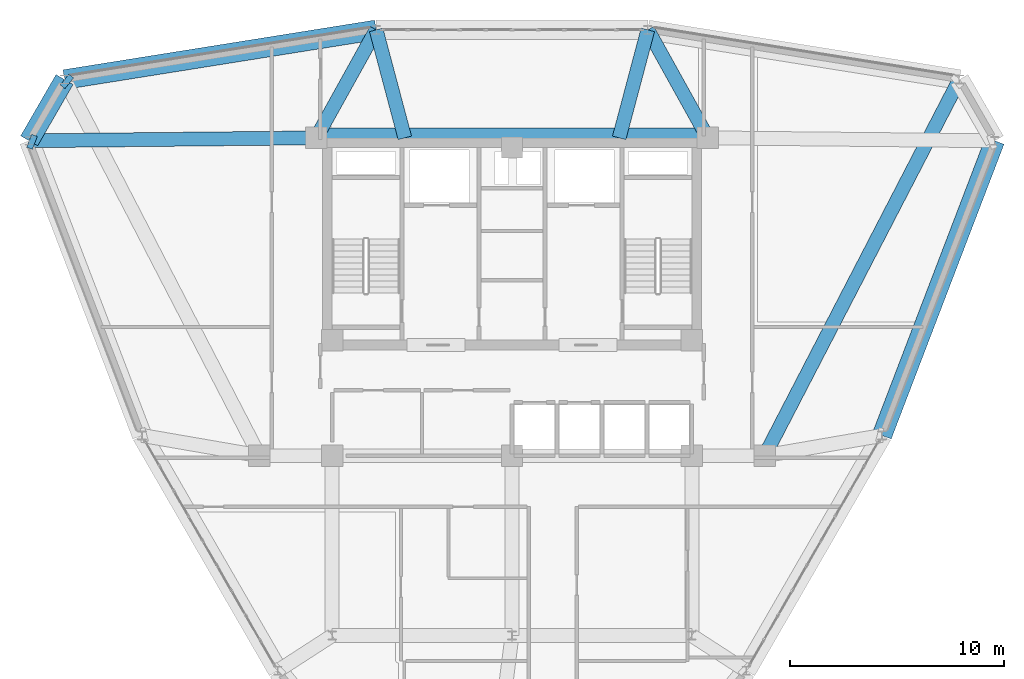
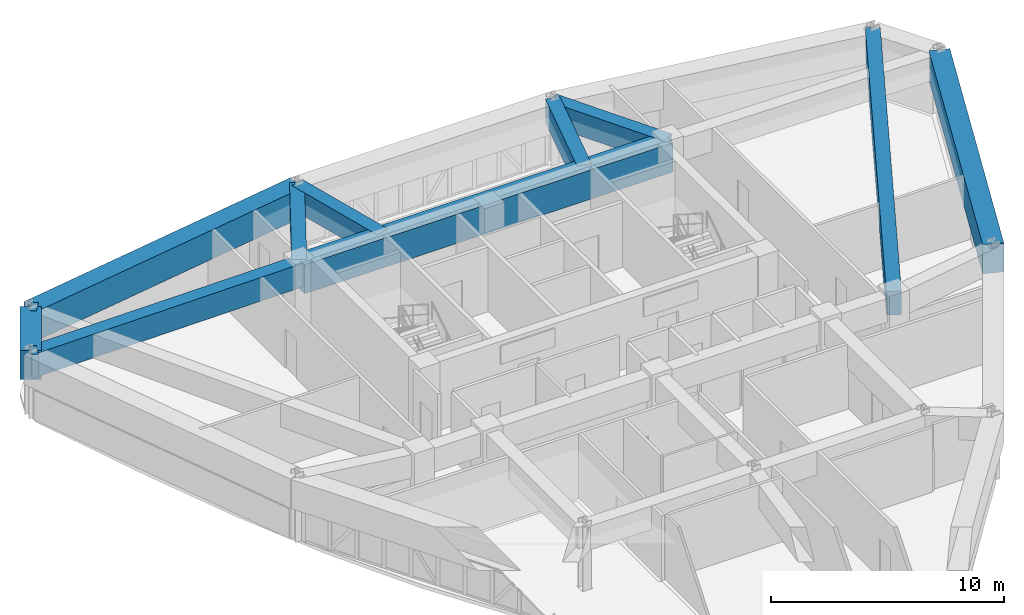
# One storey, part 7 of 14: 12 beams.
"""IFC4 building model written with IfcOpenShell, lengths in metres."""

from ifc_helpers import new_model, si_unit, derived_unit, direction, frame, origin, origin_2d, place, context, subcontext, project, spatial, rectangle, extrude, source, transform, mapped, material, material_profile, profile_set, type_object, element, save


model = new_model("IFC4")

# Units and contexts
model_context = context("Model", 3, precision=1e-05, world=origin(), true_north=direction((0.0, 1.0)))
body_context = subcontext(model_context, "Body", "Model", "MODEL_VIEW")
ifc_project = project(units=[si_unit("LENGTHUNIT", "METRE"), si_unit("AREAUNIT", "SQUARE_METRE"), si_unit("VOLUMEUNIT", "CUBIC_METRE"), si_unit("PLANEANGLEUNIT", "RADIAN"), si_unit("MASSUNIT", "GRAM", prefix="KILO"), derived_unit("THERMALTRANSMITTANCEUNIT", [(si_unit("POWERUNIT", "WATT"), 1), (si_unit("LENGTHUNIT", "METRE"), -2), (si_unit("THERMODYNAMICTEMPERATUREUNIT", "KELVIN"), -1)])], contexts=[model_context])

# Site, building, storey
site_placement = place(None, origin())
site = spatial("IfcSite", under=ifc_project, at=site_placement, CompositionType="ELEMENT")
building_placement = place(site_placement, origin())
building = spatial("IfcBuilding", under=site, at=building_placement, Name="Korsvarv Bourse and Concert Hall", CompositionType="ELEMENT")
storey_placement = place(building_placement, frame((0.0, 0.0, 175.800048828125)))
storey = spatial("IfcBuildingStorey", under=building, at=storey_placement, Name="L45", CompositionType="ELEMENT", Elevation=175.800048828125)

# Beams
ifc_material = material(Name="Concrete C50/60", Category="concrete")
ifc_material_profile_1 = material_profile(ifc_material, rectangle(XDim=0.919921875, YDim=1.530029296875, at=origin_2d()), Name="RC-BM 920x1530")
ifc_profile_set_1 = profile_set([ifc_material_profile_1], Name="Concrete C50/60")
beam_type_1 = type_object("IfcBeamType", Name="BM-TR-154", PredefinedType="BEAM", material=ifc_profile_set_1)
shared_shape_1 = source(origin(), body_context, "Body", "SweptSolid", [
    extrude(rectangle(XDim=0.919921875, YDim=1.530029296875, at=origin_2d()), origin(), (0.0, 0.0, 1.0), 18.2998046875),
])
beam_1_placement = place(storey_placement, frame((26.85009765625, 47.25, 2.635009765625), z_axis=(1.0, 0.0, 0.0), x_axis=(0.0, 1.0, 0.0)))
element("IfcBeam", 1, at=beam_1_placement, inside=storey, type_object=beam_type_1, Name="L45 beam B-TR6", PredefinedType="BEAM", context=body_context, shape_type="MappedRepresentation", body=[
    mapped(shared_shape_1, transform((0.0, 0.0, 0.0), scale=1.0)),
])
shared_shape_2 = source(origin(), body_context, "Body", "SweptSolid", [
    extrude(rectangle(XDim=0.919921875, YDim=1.530029296875, at=origin_2d()), origin(), (0.0, 0.0, 1.0), 3.30322265625),
])
beam_2_placement = place(storey_placement, frame((15.09765625, 49.97509765625, 2.635009765625), z_axis=(-0.500010360262, -0.866019422202, 0.0), x_axis=(0.866019422202, -0.500010360262, 0.0)))
element("IfcBeam", 2, at=beam_2_placement, inside=storey, type_object=beam_type_1, Name="L45 beam B-TR6", PredefinedType="BEAM", context=body_context, shape_type="MappedRepresentation", body=[
    mapped(shared_shape_2, transform((0.0, 0.0, 0.0), scale=1.0)),
])
shared_shape_3 = source(origin(), body_context, "Body", "SweptSolid", [
    extrude(rectangle(XDim=0.919921875, YDim=1.530029296875, at=origin_2d()), origin(), (0.0, 0.0, 1.0), 14.740234375),
])
for number, where, z_axis, x_axis, name in (
    (3, (29.654052734375, 52.2958984375, 2.635009765625), (-0.987527508196, -0.157446564127, 0.0), (0.157446564127, -0.987527508196, 0.0), "L45 beam B-TR6"),
    (4, (53.28564453125, 33.347900390625, 2.635009765625), (0.357410307227, 0.933947467627, 0.0), (-0.933947467627, 0.357410307227, 0.0), "L45 beam B-TR6"),
):
    element("IfcBeam", number, at=place(storey_placement, frame(where, z_axis=z_axis, x_axis=x_axis)), inside=storey, type_object=beam_type_1, Name=name, PredefinedType="BEAM", context=body_context, shape_type="MappedRepresentation", body=[
        mapped(shared_shape_3, transform((0.0, 0.0, 0.0), scale=1.0)),
    ])
ifc_material_profile_2 = material_profile(ifc_material, rectangle(XDim=0.64990234375, YDim=1.239990234375, at=origin_2d()), Name="RC-BM 650x1240")
ifc_profile_set_2 = profile_set([ifc_material_profile_2], Name="Concrete C50/60")
beam_type_2 = type_object("IfcBeamType", Name="BM-TR-SPN", PredefinedType="BEAM", material=ifc_profile_set_2)
shared_shape_4 = source(origin(), body_context, "Body", "SweptSolid", [
    extrude(rectangle(XDim=0.64990234375, YDim=1.239990234375, at=origin_2d()), origin(), (0.0, 0.0, 1.0), 13.40478515625),
])
beam_3_placement = place(storey_placement, frame((13.446044921875, 47.114501953125, 2.780029296875), z_axis=(0.999948910631, 0.010108220778, 0.0), x_axis=(-0.010108220778, 0.999948910631, 0.0)))
element("IfcBeam", 5, at=beam_3_placement, inside=storey, type_object=beam_type_2, Name="L45 beam B-TRS", PredefinedType="BEAM", context=body_context, shape_type="MappedRepresentation", body=[
    mapped(shared_shape_4, transform((0.0, 0.0, 0.0), scale=1.0)),
])
shared_shape_5 = source(origin(), body_context, "Body", "SweptSolid", [
    extrude(rectangle(XDim=0.64990234375, YDim=1.239990234375, at=origin_2d()), origin(), (0.0, 0.0, 1.0), 19.79248046875),
])
beam_4_placement = place(storey_placement, frame((56.90234375, 49.97509765625, 2.780029296875), z_axis=(-0.459888290495, -0.887976779125, 0.0), x_axis=(0.887976779125, -0.459888290495, 0.0)))
element("IfcBeam", 6, at=beam_4_placement, inside=storey, type_object=beam_type_2, Name="L45 beam B-TRS", PredefinedType="BEAM", context=body_context, shape_type="MappedRepresentation", body=[
    mapped(shared_shape_5, transform((0.0, 0.0, 0.0), scale=1.0)),
])
shared_shape_6 = source(origin(), body_context, "Body", "SweptSolid", [
    extrude(rectangle(XDim=0.64990234375, YDim=1.239990234375, at=origin_2d()), origin(), (0.0, 0.0, 1.0), 5.772705078125),
])
for number, where, z_axis, x_axis, name in (
    (7, (42.345947265625, 52.2958984375, 2.780029296875), (0.485732701051, -0.874107397938, 0.0), (0.874107397938, 0.485732701051, 0.0), "L45 beam B-TRS"),
    (8, (29.654052734375, 52.2958984375, 2.780029296875), (-0.485732701051, -0.874107397938, 0.0), (0.874107397938, -0.485732701051, 0.0), "L45 beam B-TRS"),
):
    element("IfcBeam", number, at=place(storey_placement, frame(where, z_axis=z_axis, x_axis=x_axis)), inside=storey, type_object=beam_type_2, Name=name, PredefinedType="BEAM", context=body_context, shape_type="MappedRepresentation", body=[
        mapped(shared_shape_6, transform((0.0, 0.0, 0.0), scale=1.0)),
    ])
shared_shape_7 = source(origin(), body_context, "Body", "SweptSolid", [
    extrude(rectangle(XDim=0.64990234375, YDim=1.239990234375, at=origin_2d()), origin(), (0.0, 0.0, 1.0), 0.282470703125),
])
for number, where, z_axis, x_axis, name in (
    (9, (15.09765625, 49.97509765625, 2.780029296875), (0.777908679248, -0.628377344237, 0.0), (0.628377344237, 0.777908679248, 0.0), "L45 beam B-TRS"),
    (10, (13.446044921875, 47.114501953125, 2.780029296875), (0.933167337898, -0.359442233857, 0.0), (0.359442233857, 0.933167337898, 0.0), "L45 beam B-TRS"),
):
    element("IfcBeam", number, at=place(storey_placement, frame(where, z_axis=z_axis, x_axis=x_axis)), inside=storey, type_object=beam_type_2, Name=name, PredefinedType="BEAM", context=body_context, shape_type="MappedRepresentation", body=[
        mapped(shared_shape_7, transform((0.0, 0.0, 0.0), scale=1.0)),
    ])
shared_shape_8 = source(origin(), body_context, "Body", "SweptSolid", [
    extrude(rectangle(XDim=0.64990234375, YDim=1.239990234375, at=origin_2d()), origin(), (0.0, 0.0, 1.0), 5.220703125),
])
for number, where, z_axis, x_axis, name in (
    (11, (42.345947265625, 52.2958984375, 2.780029296875), (-0.256637978022, -0.966507603817, 0.0), (0.966507603817, -0.256637978022, 0.0), "L45 beam B-TRS"),
    (12, (29.654052734375, 52.2958984375, 2.780029296875), (0.256637978022, -0.966507603817, 0.0), (0.966507603817, 0.256637978022, 0.0), "L45 beam B-TRS"),
):
    element("IfcBeam", number, at=place(storey_placement, frame(where, z_axis=z_axis, x_axis=x_axis)), inside=storey, type_object=beam_type_2, Name=name, PredefinedType="BEAM", context=body_context, shape_type="MappedRepresentation", body=[
        mapped(shared_shape_8, transform((0.0, 0.0, 0.0), scale=1.0)),
    ])

save(model, "model.ifc")
